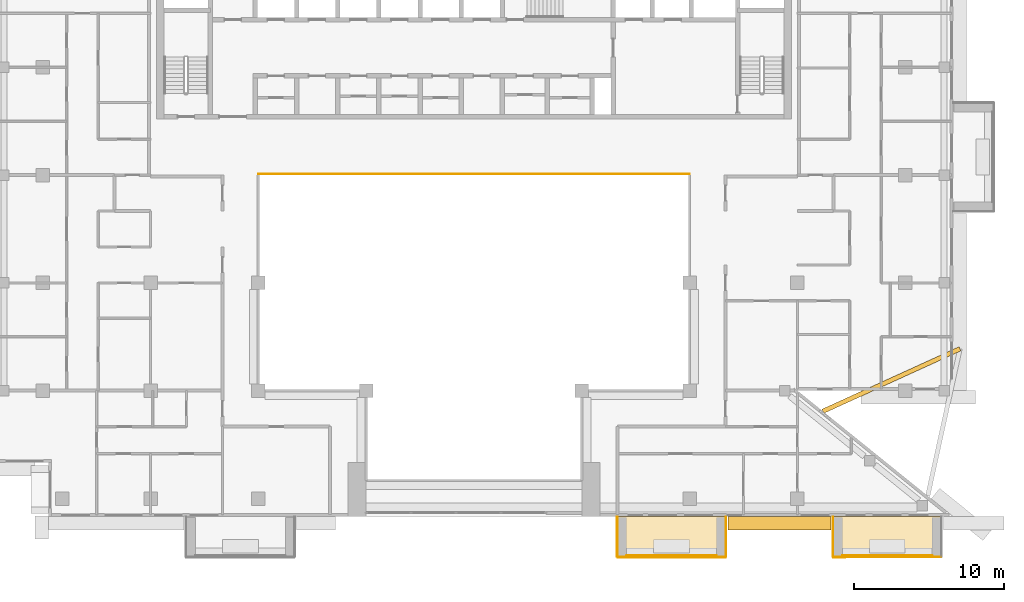
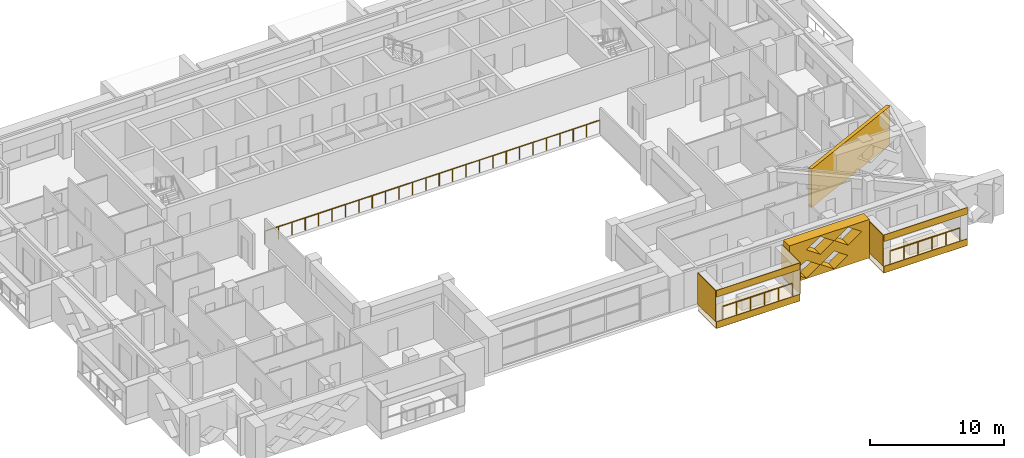
# One storey, part 15 of 19: 11 coverings, 3 railings.
"""IFC4 building model written with IfcOpenShell, lengths in metres."""

from ifc_helpers import new_model, si_unit, direction, frame, origin, origin_2d, place, context, subcontext, project, spatial, polyline, circle, outline, extrude, material, layer, layer_set, type_object, element, save


model = new_model("IFC4")

# Units and contexts
model_context = context("Model", 3, precision=1e-05, world=origin(), true_north=direction((0.0, 1.0)))
body_context = subcontext(model_context, "Body", "Model", "MODEL_VIEW")
ifc_project = project(units=[si_unit("LENGTHUNIT", "METRE"), si_unit("AREAUNIT", "SQUARE_METRE"), si_unit("VOLUMEUNIT", "CUBIC_METRE"), si_unit("PLANEANGLEUNIT", "RADIAN"), si_unit("MASSUNIT", "GRAM", prefix="KILO")], contexts=[model_context])

# Site, building, storey
site_placement = place(None, origin())
site = spatial("IfcSite", under=ifc_project, at=site_placement, CompositionType="ELEMENT")
building_placement = place(site_placement, origin())
building = spatial("IfcBuilding", under=site, at=building_placement, Name="Saffron Iwan Residences", CompositionType="ELEMENT")
storey_placement = place(building_placement, frame((0.0, 0.0, 225.5)))
storey = spatial("IfcBuildingStorey", under=building, at=storey_placement, Name="L60", CompositionType="ELEMENT", Elevation=225.5)

# Railings
ifc_material_1 = material(Name="Stainless steel 316", Category="steel")
railing_type_1 = type_object("IfcRailingType", Name="Atrium guard 1150", PredefinedType="GUARDRAIL", material=ifc_material_1)
railing_placement = place(storey_placement, frame((36.0, 62.47509765625, 0.0)))
element("IfcRailing", 1, at=railing_placement, inside=storey, type_object=railing_type_1, Name="Atrium guard L60", PredefinedType="GUARDRAIL", context=body_context, shape_type="SweptSolid", body=[
    extrude(circle(Radius=0.02392578125, at=origin_2d()), frame((0.0, 0.0, 1.1259765625), z_axis=(1.0, 0.0, 0.0), x_axis=(0.0, 1.0, 0.0)), (0.0, 0.0, 1.0), 28.800048828125),
    extrude(circle(Radius=0.02099609375, at=origin_2d()), origin(), (0.0, 0.0, 1.0), 1.101806640625),
    extrude(circle(Radius=0.02099609375, at=origin_2d()), frame((1.152099609375, 0.0, 0.0)), (0.0, 0.0, 1.0), 1.101806640625),
    extrude(circle(Radius=0.02099609375, at=origin_2d()), frame((2.303955078125, 0.0, 0.0)), (0.0, 0.0, 1.0), 1.101806640625),
    extrude(circle(Radius=0.02099609375, at=origin_2d()), frame((3.4560546875, 0.0, 0.0)), (0.0, 0.0, 1.0), 1.101806640625),
    extrude(circle(Radius=0.02099609375, at=origin_2d()), frame((4.60791015625, 0.0, 0.0)), (0.0, 0.0, 1.0), 1.101806640625),
    extrude(circle(Radius=0.02099609375, at=origin_2d()), frame((5.760009765625, 0.0, 0.0)), (0.0, 0.0, 1.0), 1.101806640625),
    extrude(circle(Radius=0.02099609375, at=origin_2d()), frame((6.912109375, 0.0, 0.0)), (0.0, 0.0, 1.0), 1.101806640625),
    extrude(circle(Radius=0.02099609375, at=origin_2d()), frame((8.06396484375, 0.0, 0.0)), (0.0, 0.0, 1.0), 1.101806640625),
    extrude(circle(Radius=0.02099609375, at=origin_2d()), frame((9.216064453125, 0.0, 0.0)), (0.0, 0.0, 1.0), 1.101806640625),
    extrude(circle(Radius=0.02099609375, at=origin_2d()), frame((10.367919921875, 0.0, 0.0)), (0.0, 0.0, 1.0), 1.101806640625),
    extrude(circle(Radius=0.02099609375, at=origin_2d()), frame((11.52001953125, 0.0, 0.0)), (0.0, 0.0, 1.0), 1.101806640625),
    extrude(circle(Radius=0.02099609375, at=origin_2d()), frame((12.672119140625, 0.0, 0.0)), (0.0, 0.0, 1.0), 1.101806640625),
    extrude(circle(Radius=0.02099609375, at=origin_2d()), frame((13.823974609375, 0.0, 0.0)), (0.0, 0.0, 1.0), 1.101806640625),
    extrude(circle(Radius=0.02099609375, at=origin_2d()), frame((14.97607421875, 0.0, 0.0)), (0.0, 0.0, 1.0), 1.101806640625),
    extrude(circle(Radius=0.02099609375, at=origin_2d()), frame((16.1279296875, 0.0, 0.0)), (0.0, 0.0, 1.0), 1.101806640625),
    extrude(circle(Radius=0.02099609375, at=origin_2d()), frame((17.280029296875, 0.0, 0.0)), (0.0, 0.0, 1.0), 1.101806640625),
    extrude(circle(Radius=0.02099609375, at=origin_2d()), frame((18.43212890625, 0.0, 0.0)), (0.0, 0.0, 1.0), 1.101806640625),
    extrude(circle(Radius=0.02099609375, at=origin_2d()), frame((19.583984375, 0.0, 0.0)), (0.0, 0.0, 1.0), 1.101806640625),
    extrude(circle(Radius=0.02099609375, at=origin_2d()), frame((20.736083984375, 0.0, 0.0)), (0.0, 0.0, 1.0), 1.101806640625),
    extrude(circle(Radius=0.02099609375, at=origin_2d()), frame((21.887939453125, 0.0, 0.0)), (0.0, 0.0, 1.0), 1.101806640625),
    extrude(circle(Radius=0.02099609375, at=origin_2d()), frame((23.0400390625, 0.0, 0.0)), (0.0, 0.0, 1.0), 1.101806640625),
    extrude(circle(Radius=0.02099609375, at=origin_2d()), frame((24.192138671875, 0.0, 0.0)), (0.0, 0.0, 1.0), 1.101806640625),
    extrude(circle(Radius=0.02099609375, at=origin_2d()), frame((25.343994140625, 0.0, 0.0)), (0.0, 0.0, 1.0), 1.101806640625),
    extrude(circle(Radius=0.02099609375, at=origin_2d()), frame((26.49609375, 0.0, 0.0)), (0.0, 0.0, 1.0), 1.101806640625),
    extrude(circle(Radius=0.02099609375, at=origin_2d()), frame((27.64794921875, 0.0, 0.0)), (0.0, 0.0, 1.0), 1.101806640625),
    extrude(circle(Radius=0.02099609375, at=origin_2d()), frame((28.800048828125, 0.0, 0.0)), (0.0, 0.0, 1.0), 1.101806640625),
])
railing_type_2 = type_object("IfcRailingType", Name="BALCONY GUARD 1150", PredefinedType="GUARDRAIL", material=ifc_material_1)
for number, where, name in (
    (2, (60.60009765625, 36.97509765625, 0.0), "Balcony guard L60 11-1"),
    (3, (75.0, 36.97509765625, 0.0), "Balcony guard L60 11-2"),
):
    element("IfcRailing", number, at=place(storey_placement, frame(where)), inside=storey, type_object=railing_type_2, Name=name, PredefinedType="GUARDRAIL", context=body_context, shape_type="SweptSolid", body=[
        extrude(circle(Radius=0.02392578125, at=origin_2d()), frame((0.0, 0.0, 1.1259765625), z_axis=(1.0, 0.0, 0.0), x_axis=(0.0, 1.0, 0.0)), (0.0, 0.0, 1.0), 6.0),
        extrude(circle(Radius=0.02099609375, at=origin_2d()), origin(), (0.0, 0.0, 1.0), 1.101806640625),
        extrude(circle(Radius=0.02099609375, at=origin_2d()), frame((1.199951171875, 0.0, 0.0)), (0.0, 0.0, 1.0), 1.101806640625),
        extrude(circle(Radius=0.02099609375, at=origin_2d()), frame((2.39990234375, 0.0, 0.0)), (0.0, 0.0, 1.0), 1.101806640625),
        extrude(circle(Radius=0.02099609375, at=origin_2d()), frame((3.60009765625, 0.0, 0.0)), (0.0, 0.0, 1.0), 1.101806640625),
        extrude(circle(Radius=0.02099609375, at=origin_2d()), frame((4.800048828125, 0.0, 0.0)), (0.0, 0.0, 1.0), 1.101806640625),
        extrude(circle(Radius=0.02099609375, at=origin_2d()), frame((6.0, 0.0, 0.0)), (0.0, 0.0, 1.0), 1.101806640625),
    ])

# Coverings
ifc_material_2 = material(Name="Precast concrete C40/50 white painted", Category="concrete")
ifc_layer_1 = layer(ifc_material_2, 0.050048828125)
ifc_layer_set_1 = layer_set([ifc_layer_1], Name="Precast concrete C40/50 white painted")
covering_type_1 = type_object("IfcCoveringType", Name="FRAME SKIN PRECAST WHITE 50", PredefinedType="CLADDING", material=ifc_layer_set_1)
for number, where, name in (
    (4, (0.0, 0.0, -0.60009765625), "Frame skin slab edge L60 11-1"),
    (5, (0.0, 0.0, 2.25), "Frame skin fascia L60 11-1"),
):
    element("IfcCovering", number, at=place(storey_placement, frame(where)), inside=storey, type_object=covering_type_1, Name=name, PredefinedType="CLADDING", context=body_context, shape_type="SweptSolid", body=[
        extrude(outline(polyline([(60.0, 36.85009765625), (67.199951171875, 36.85009765625), (67.199951171875, 36.89990234375), (60.0, 36.89990234375), (60.0, 36.85009765625)])), origin(), (0.0, 0.0, 1.0), 0.60009765625),
    ])
covering_1_placement = place(storey_placement, frame((0.0, 0.0, -0.64990234375)))
element("IfcCovering", 6, at=covering_1_placement, inside=storey, type_object=covering_type_1, Name="Frame skin soffit L60 11-1", PredefinedType="CLADDING", context=body_context, shape_type="SweptSolid", body=[
    extrude(outline(polyline([(60.0, 36.89990234375), (67.199951171875, 36.89990234375), (67.199951171875, 39.60009765625), (60.0, 39.60009765625), (60.0, 36.89990234375)])), origin(), (0.0, 0.0, 1.0), 0.0498046875),
])
covering_2_placement = place(storey_placement, origin())
element("IfcCovering", 7, at=covering_2_placement, inside=storey, type_object=covering_type_1, Name="Frame skin fin L60 11-1a", PredefinedType="CLADDING", context=body_context, shape_type="SweptSolid", body=[
    extrude(outline(polyline([(59.949951171875, 36.89990234375), (60.0, 36.89990234375), (60.0, 39.60009765625), (59.949951171875, 39.60009765625), (59.949951171875, 36.89990234375)])), origin(), (0.0, 0.0, 1.0), 2.85009765625),
])
covering_3_placement = place(storey_placement, origin())
element("IfcCovering", 8, at=covering_3_placement, inside=storey, type_object=covering_type_1, Name="Frame skin fin L60 11-1b", PredefinedType="CLADDING", context=body_context, shape_type="SweptSolid", body=[
    extrude(outline(polyline([(67.199951171875, 36.89990234375), (67.25, 36.89990234375), (67.25, 39.60009765625), (67.199951171875, 39.60009765625), (67.199951171875, 36.89990234375)])), origin(), (0.0, 0.0, 1.0), 2.85009765625),
])
for number, where, name in (
    (9, (0.0, 0.0, -0.60009765625), "Frame skin slab edge L60 11-2"),
    (10, (0.0, 0.0, 2.25), "Frame skin fascia L60 11-2"),
):
    element("IfcCovering", number, at=place(storey_placement, frame(where)), inside=storey, type_object=covering_type_1, Name=name, PredefinedType="CLADDING", context=body_context, shape_type="SweptSolid", body=[
        extrude(outline(polyline([(74.39990234375, 36.85009765625), (81.60009765625, 36.85009765625), (81.60009765625, 36.89990234375), (74.39990234375, 36.89990234375), (74.39990234375, 36.85009765625)])), origin(), (0.0, 0.0, 1.0), 0.60009765625),
    ])
covering_4_placement = place(storey_placement, frame((0.0, 0.0, -0.64990234375)))
element("IfcCovering", 11, at=covering_4_placement, inside=storey, type_object=covering_type_1, Name="Frame skin soffit L60 11-2", PredefinedType="CLADDING", context=body_context, shape_type="SweptSolid", body=[
    extrude(outline(polyline([(74.39990234375, 36.89990234375), (81.60009765625, 36.89990234375), (81.60009765625, 39.60009765625), (74.39990234375, 39.60009765625), (74.39990234375, 36.89990234375)])), origin(), (0.0, 0.0, 1.0), 0.0498046875),
])
covering_5_placement = place(storey_placement, origin())
element("IfcCovering", 12, at=covering_5_placement, inside=storey, type_object=covering_type_1, Name="Frame skin fin L60 11-2a", PredefinedType="CLADDING", context=body_context, shape_type="SweptSolid", body=[
    extrude(outline(polyline([(74.35009765625, 36.89990234375), (74.39990234375, 36.89990234375), (74.39990234375, 39.60009765625), (74.35009765625, 39.60009765625), (74.35009765625, 36.89990234375)])), origin(), (0.0, 0.0, 1.0), 2.85009765625),
])
ifc_material_3 = material(Name="Precast concrete C40/50", Category="concrete")
covering_type_2 = type_object("IfcCoveringType", Name="OUTER SKIN LATTICE SCREEN", PredefinedType="CLADDING", material=ifc_material_3)
covering_6_placement = place(storey_placement, frame((67.35009765625, 39.60009765625, -0.280029296875), z_axis=(0.0, -1.0, 0.0), x_axis=(1.0, 0.0, 0.0)))
element("IfcCovering", 13, at=covering_6_placement, inside=storey, type_object=covering_type_2, Name="OUTER SKIN lattice screen L60 F11.2", PredefinedType="CLADDING", context=body_context, shape_type="SweptSolid", body=[
    extrude(outline(polyline([(0.0, 0.0), (6.89990234375, 0.0), (6.89990234375, 3.5), (0.0, 3.5), (0.0, 0.0)]), holes=[polyline([(0.27001953125, 0.875), (1.449951171875, 0.06005859375), (2.6298828125, 0.875), (1.449951171875, 1.68994140625), (0.27001953125, 0.875)]), polyline([(2.669921875, 0.875), (3.85009765625, 0.06005859375), (5.030029296875, 0.875), (3.85009765625, 1.68994140625), (2.669921875, 0.875)]), polyline([(1.469970703125, 2.625), (2.64990234375, 1.81005859375), (3.830078125, 2.625), (2.64990234375, 3.43994140625), (1.469970703125, 2.625)]), polyline([(3.8701171875, 2.625), (5.050048828125, 1.81005859375), (6.22998046875, 2.625), (5.050048828125, 3.43994140625), (3.8701171875, 2.625)])]), origin(), (0.0, 0.0, 1.0), 0.900146484375),
])
ifc_layer_2 = layer(ifc_material_2, 0.300048828125)
ifc_layer_set_2 = layer_set([ifc_layer_2], Name="Precast concrete C40/50 white painted")
covering_type_3 = type_object("IfcCoveringType", Name="PROW NOSE BLADE PRECAST WHITE", PredefinedType="CLADDING", material=ifc_layer_set_2)
covering_7_placement = place(storey_placement, frame((0.0, 0.0, -0.280029296875)))
element("IfcCovering", 14, at=covering_7_placement, inside=storey, type_object=covering_type_3, Name="Prow nose blade L60 b", PredefinedType="CLADDING", context=body_context, shape_type="SweptSolid", body=[
    extrude(outline(polyline([(73.761474609375, 46.490966796875), (82.917236328125, 50.6650390625), (82.792724609375, 50.93798828125), (73.636962890625, 46.763916015625), (73.761474609375, 46.490966796875)])), origin(), (0.0, 0.0, 1.0), 3.5),
])

save(model, "model.ifc")
